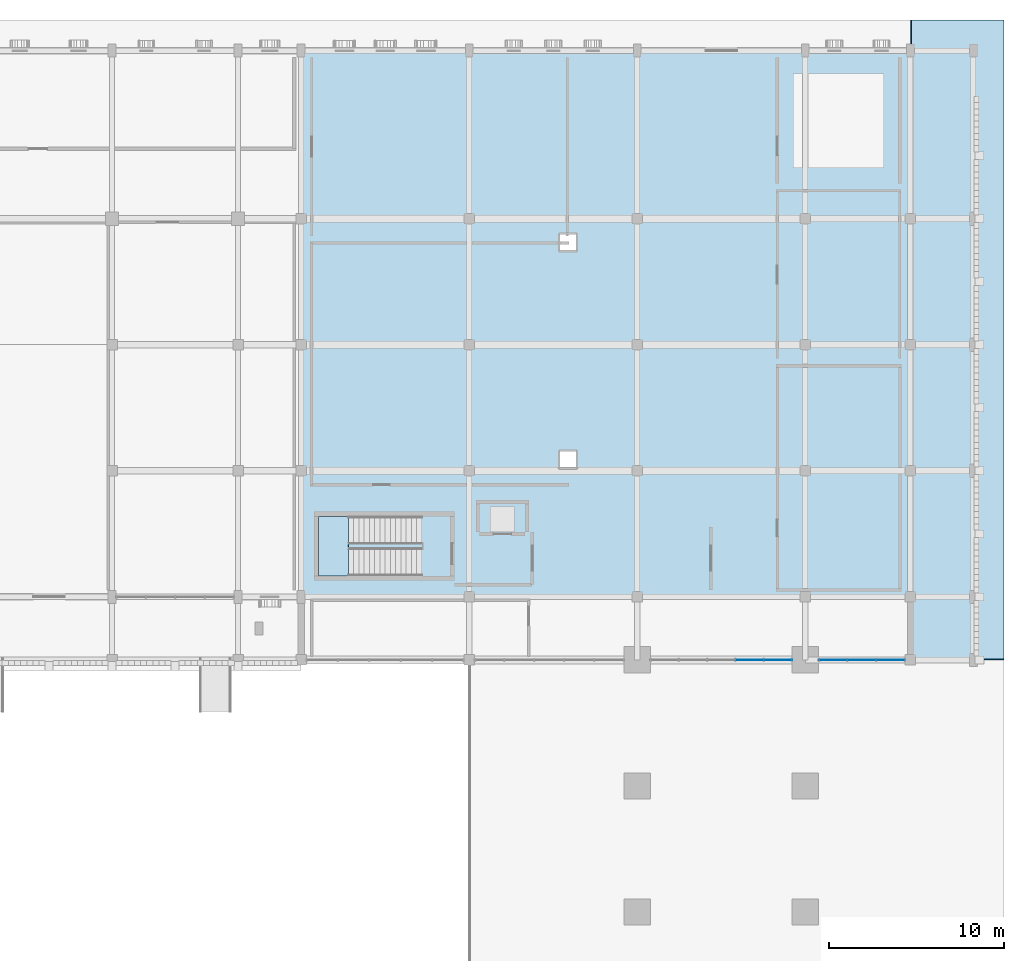
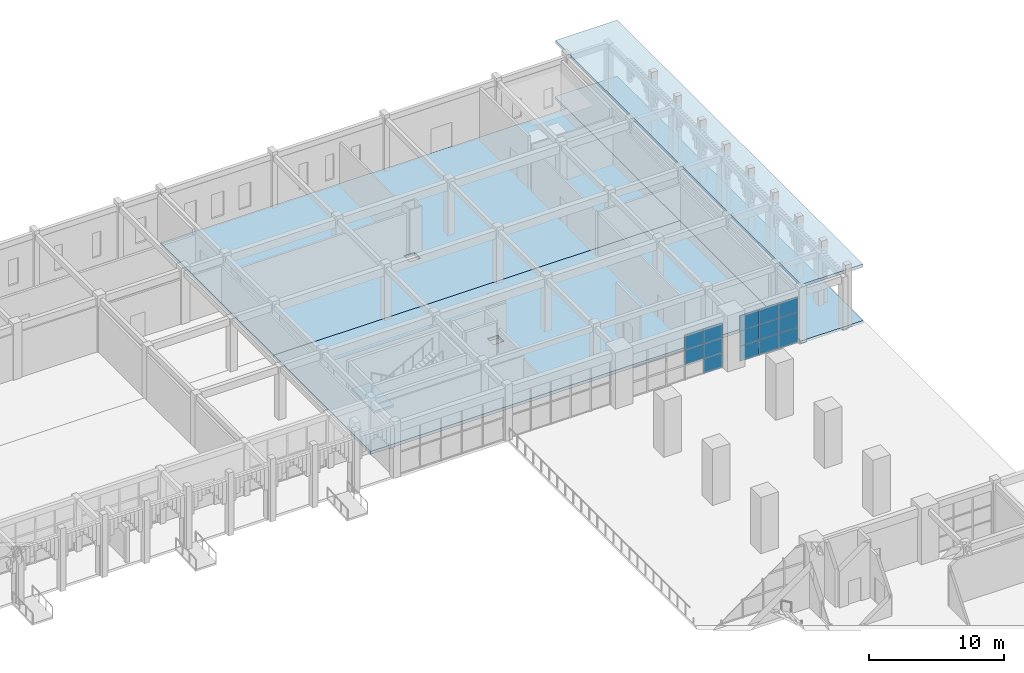
# One storey, part 34 of 72: 14 plates, 5 slabs, 3 elements without a shape of their own.
"""IFC4 building model written with IfcOpenShell, lengths in metres."""

from ifc_helpers import new_model, si_unit, direction, frame, origin, origin_2d, place, context, subcontext, project, spatial, polyline, rectangle, outline, extrude, material, layer, layer_set, type_object, element, aggregate, save


model = new_model("IFC4")

# Units and contexts
model_context = context("Model", 3, precision=1e-05, world=origin(), true_north=direction((0.0, 1.0)))
body_context = subcontext(model_context, "Body", "Model", "MODEL_VIEW")
ifc_project = project(units=[si_unit("LENGTHUNIT", "METRE"), si_unit("AREAUNIT", "SQUARE_METRE"), si_unit("VOLUMEUNIT", "CUBIC_METRE"), si_unit("PLANEANGLEUNIT", "RADIAN"), si_unit("MASSUNIT", "GRAM", prefix="KILO")], contexts=[model_context])

# Site, building, storey
site_placement = place(None, origin())
site = spatial("IfcSite", under=ifc_project, at=site_placement, CompositionType="ELEMENT")
building_placement = place(site_placement, origin())
building = spatial("IfcBuilding", under=site, at=building_placement, Name="Nzembalo Square Collegiate School", CompositionType="ELEMENT")
storey_placement = place(building_placement, origin())
storey = spatial("IfcBuildingStorey", under=building, at=storey_placement, Name="L00", CompositionType="ELEMENT", Elevation=0.0)

# Curtain wall, plates
ifc_material_1 = material(Name="Aluminium 6060-T66", Category="aluminium")
curtain_wall_type_1 = type_object("IfcCurtainWallType", Name="CW-09", PredefinedType="USERDEFINED", material=ifc_material_1)
curtain_wall_1_placement = place(storey_placement, origin())
curtain_wall_1 = element("IfcCurtainWall", 1, at=curtain_wall_1_placement, inside=storey, type_object=curtain_wall_type_1, Name="Curtain wall CW-09 cw:L00:024", ObjectType="UNITISED", PredefinedType="USERDEFINED")
ifc_material_2 = material(Name="Laminated solar-control double glazing", Category="glass")
ifc_layer_1 = layer(ifc_material_2, 0.028076171875, Name="Laminated solar-control double glazing")
ifc_layer_set_1 = layer_set([ifc_layer_1], Name="Laminated solar-control double glazing")
plate_type_1 = type_object("IfcPlateType", Name="PN01", PredefinedType="CURTAIN_PANEL", material=ifc_layer_set_1)
plate_1_placement = place(storey_placement, frame((158.038330078125, 79.199951171875, 0.00390625), z_axis=(0.0, 0.0, 1.0), x_axis=(1.0, 0.0, 0.0)))
plate_1 = element("IfcPlate", 2, at=plate_1_placement, type_object=plate_type_1, Name="PN01 glazed panel 1-5", PredefinedType="CURTAIN_PANEL", context=body_context, shape_type="SweptSolid", body=[
    extrude(rectangle(XDim=1.611083984375, YDim=0.028076171875, at=origin_2d()), origin(), (0.0, 0.0, 1.0), 1.336669921875),
])
plate_2_placement = place(storey_placement, frame((156.419189453125, 79.199951171875, 1.3486328125), z_axis=(0.0, 0.0, 1.0), x_axis=(1.0, 0.0, 0.0)))
plate_2 = element("IfcPlate", 3, at=plate_2_placement, type_object=plate_type_1, Name="PN01 glazed panel 2-4", PredefinedType="CURTAIN_PANEL", context=body_context, shape_type="SweptSolid", body=[
    extrude(rectangle(XDim=1.611083984375, YDim=0.028076171875, at=origin_2d()), origin(), (0.0, 0.0, 1.0), 1.336669921875),
])
plate_3_placement = place(storey_placement, frame((158.038330078125, 79.199951171875, 1.3486328125), z_axis=(0.0, 0.0, 1.0), x_axis=(1.0, 0.0, 0.0)))
plate_3 = element("IfcPlate", 4, at=plate_3_placement, type_object=plate_type_1, Name="PN01 glazed panel 2-5", PredefinedType="CURTAIN_PANEL", context=body_context, shape_type="SweptSolid", body=[
    extrude(rectangle(XDim=1.611083984375, YDim=0.028076171875, at=origin_2d()), origin(), (0.0, 0.0, 1.0), 1.336669921875),
])
plate_4_placement = place(storey_placement, frame((156.419189453125, 79.199951171875, 2.693359375), z_axis=(0.0, 0.0, 1.0), x_axis=(1.0, 0.0, 0.0)))
plate_4 = element("IfcPlate", 5, at=plate_4_placement, type_object=plate_type_1, Name="PN01 glazed panel 3-4", PredefinedType="CURTAIN_PANEL", context=body_context, shape_type="SweptSolid", body=[
    extrude(rectangle(XDim=1.611083984375, YDim=0.028076171875, at=origin_2d()), origin(), (0.0, 0.0, 1.0), 1.336669921875),
])
plate_5_placement = place(storey_placement, frame((158.038330078125, 79.199951171875, 2.693359375), z_axis=(0.0, 0.0, 1.0), x_axis=(1.0, 0.0, 0.0)))
plate_5 = element("IfcPlate", 6, at=plate_5_placement, type_object=plate_type_1, Name="PN01 glazed panel 3-5", PredefinedType="CURTAIN_PANEL", context=body_context, shape_type="SweptSolid", body=[
    extrude(rectangle(XDim=1.611083984375, YDim=0.028076171875, at=origin_2d()), origin(), (0.0, 0.0, 1.0), 1.336669921875),
])
aggregate(curtain_wall_1, [plate_1, plate_2, plate_3, plate_4, plate_5])

ifc_material_3 = material(Name="Aluminium 6060-T66", Category="aluminium")
curtain_wall_type_2 = type_object("IfcCurtainWallType", Name="CW-14", PredefinedType="USERDEFINED", material=ifc_material_3)
curtain_wall_2_placement = place(storey_placement, origin())
curtain_wall_2 = element("IfcCurtainWall", 7, at=curtain_wall_2_placement, inside=storey, type_object=curtain_wall_type_2, Name="Curtain wall CW-14 cw:L00:025", ObjectType="UNITISED", PredefinedType="USERDEFINED")
ifc_material_4 = material(Name="Acoustic laminated solar-control glazing", Category="glass")
ifc_layer_2 = layer(ifc_material_4, 0.031982421875, Name="Acoustic laminated solar-control glazing")
ifc_layer_set_2 = layer_set([ifc_layer_2], Name="Acoustic laminated solar-control glazing")
plate_type_2 = type_object("IfcPlateType", Name="PN02", PredefinedType="CURTAIN_PANEL", material=ifc_layer_set_2)
plate_6_placement = place(storey_placement, frame((161.17626953125, 79.199951171875, 0.00390625), z_axis=(0.0, 0.0, 1.0), x_axis=(1.0, 0.0, 0.0)))
plate_6 = element("IfcPlate", 8, at=plate_6_placement, type_object=plate_type_2, Name="PN02 glazed panel 1-1", PredefinedType="CURTAIN_PANEL", context=body_context, shape_type="SweptSolid", body=[
    extrude(rectangle(XDim=1.640625, YDim=0.031982421875, at=origin_2d()), origin(), (0.0, 0.0, 1.0), 1.3701171875),
])
plate_7_placement = place(storey_placement, frame((162.824951171875, 79.199951171875, 0.00390625), z_axis=(0.0, 0.0, 1.0), x_axis=(1.0, 0.0, 0.0)))
plate_7 = element("IfcPlate", 9, at=plate_7_placement, type_object=plate_type_2, Name="PN02 glazed panel 1-2", PredefinedType="CURTAIN_PANEL", context=body_context, shape_type="SweptSolid", body=[
    extrude(rectangle(XDim=1.640625, YDim=0.031982421875, at=origin_2d()), origin(), (0.0, 0.0, 1.0), 1.3701171875),
])
plate_8_placement = place(storey_placement, frame((164.4736328125, 79.199951171875, 0.00390625), z_axis=(0.0, 0.0, 1.0), x_axis=(1.0, 0.0, 0.0)))
plate_8 = element("IfcPlate", 10, at=plate_8_placement, type_object=plate_type_2, Name="PN02 glazed panel 1-3", PredefinedType="CURTAIN_PANEL", context=body_context, shape_type="SweptSolid", body=[
    extrude(rectangle(XDim=1.640625, YDim=0.031982421875, at=origin_2d()), origin(), (0.0, 0.0, 1.0), 1.3701171875),
])
plate_9_placement = place(storey_placement, frame((161.17626953125, 79.199951171875, 1.3818359375), z_axis=(0.0, 0.0, 1.0), x_axis=(1.0, 0.0, 0.0)))
plate_9 = element("IfcPlate", 11, at=plate_9_placement, type_object=plate_type_2, Name="PN02 glazed panel 2-1", PredefinedType="CURTAIN_PANEL", context=body_context, shape_type="SweptSolid", body=[
    extrude(rectangle(XDim=1.640625, YDim=0.031982421875, at=origin_2d()), origin(), (0.0, 0.0, 1.0), 1.3701171875),
])
plate_10_placement = place(storey_placement, frame((162.824951171875, 79.199951171875, 1.3818359375), z_axis=(0.0, 0.0, 1.0), x_axis=(1.0, 0.0, 0.0)))
plate_10 = element("IfcPlate", 12, at=plate_10_placement, type_object=plate_type_2, Name="PN02 glazed panel 2-2", PredefinedType="CURTAIN_PANEL", context=body_context, shape_type="SweptSolid", body=[
    extrude(rectangle(XDim=1.640625, YDim=0.031982421875, at=origin_2d()), origin(), (0.0, 0.0, 1.0), 1.3701171875),
])
plate_11_placement = place(storey_placement, frame((164.4736328125, 79.199951171875, 1.3818359375), z_axis=(0.0, 0.0, 1.0), x_axis=(1.0, 0.0, 0.0)))
plate_11 = element("IfcPlate", 13, at=plate_11_placement, type_object=plate_type_2, Name="PN02 glazed panel 2-3", PredefinedType="CURTAIN_PANEL", context=body_context, shape_type="SweptSolid", body=[
    extrude(rectangle(XDim=1.640625, YDim=0.031982421875, at=origin_2d()), origin(), (0.0, 0.0, 1.0), 1.3701171875),
])
plate_12_placement = place(storey_placement, frame((161.17626953125, 79.199951171875, 2.760009765625), z_axis=(0.0, 0.0, 1.0), x_axis=(1.0, 0.0, 0.0)))
plate_12 = element("IfcPlate", 14, at=plate_12_placement, type_object=plate_type_2, Name="PN02 glazed panel 3-1", PredefinedType="CURTAIN_PANEL", context=body_context, shape_type="SweptSolid", body=[
    extrude(rectangle(XDim=1.640625, YDim=0.031982421875, at=origin_2d()), origin(), (0.0, 0.0, 1.0), 1.3701171875),
])
plate_13_placement = place(storey_placement, frame((162.824951171875, 79.199951171875, 2.760009765625), z_axis=(0.0, 0.0, 1.0), x_axis=(1.0, 0.0, 0.0)))
plate_13 = element("IfcPlate", 15, at=plate_13_placement, type_object=plate_type_2, Name="PN02 glazed panel 3-2", PredefinedType="CURTAIN_PANEL", context=body_context, shape_type="SweptSolid", body=[
    extrude(rectangle(XDim=1.640625, YDim=0.031982421875, at=origin_2d()), origin(), (0.0, 0.0, 1.0), 1.3701171875),
])
plate_14_placement = place(storey_placement, frame((164.4736328125, 79.199951171875, 2.760009765625), z_axis=(0.0, 0.0, 1.0), x_axis=(1.0, 0.0, 0.0)))
plate_14 = element("IfcPlate", 16, at=plate_14_placement, type_object=plate_type_2, Name="PN02 glazed panel 3-3", PredefinedType="CURTAIN_PANEL", context=body_context, shape_type="SweptSolid", body=[
    extrude(rectangle(XDim=1.640625, YDim=0.031982421875, at=origin_2d()), origin(), (0.0, 0.0, 1.0), 1.3701171875),
])
aggregate(curtain_wall_2, [plate_6, plate_7, plate_8, plate_9, plate_10, plate_11, plate_12, plate_13, plate_14])

# Stair, slab
ifc_material_5 = material(Name="Precast concrete C40/50", Category="concrete")
stair_type = type_object("IfcStairType", Name="ST-30R", PredefinedType="HALF_TURN_STAIR", material=ifc_material_5)
stair_placement = place(storey_placement, origin())
stair = element("IfcStair", 17, at=stair_placement, inside=storey, type_object=stair_type, Name="Escape stair ST-13 (C4 L00)", PredefinedType="HALF_TURN_STAIR")
ifc_material_6 = material(Name="Precast concrete C40/50", Category="concrete")
ifc_layer_3 = layer(ifc_material_6, 0.199951171875, Name="Precast concrete C40/50")
ifc_layer_set_3 = layer_set([ifc_layer_3], Name="Precast concrete C40/50")
slab_type_1 = type_object("IfcSlabType", Name="SL-LDG", PredefinedType="LANDING", material=ifc_layer_set_3)
slab_1_placement = place(storey_placement, frame((0.0, 0.0, 2.35009765625)))
slab_1 = element("IfcSlab", 18, at=slab_1_placement, type_object=slab_type_1, Name="ST-13 landing 1", PredefinedType="LANDING", context=body_context, shape_type="SweptSolid", body=[
    extrude(outline(polyline([(133.5, 87.39990234375), (131.800048828125, 87.39990234375), (131.800048828125, 84.0), (133.5, 84.0), (133.5, 87.39990234375)])), origin(), (0.0, 0.0, 1.0), 0.199951171875),
])
aggregate(stair, [slab_1])

# Slabs
ifc_material_7 = material(Name="CLT CL24", Category="wood")
ifc_layer_4 = layer(ifc_material_7, 0.27001953125, Name="CLT CL24")
ifc_layer_set_4 = layer_set([ifc_layer_4], Name="CLT CL24")
slab_type_2 = type_object("IfcSlabType", Name="RS-F27", PredefinedType="ROOF", material=ifc_layer_set_4)
slab_2_placement = place(storey_placement, frame((0.0, 0.0, 4.800048828125)))
element("IfcSlab", 19, at=slab_2_placement, inside=storey, type_object=slab_type_2, Name="Step roof slab RS-ARC-EN", PredefinedType="ROOF", context=body_context, shape_type="SweptSolid", body=[
    extrude(outline(polyline([(165.659912109375, 79.260009765625), (170.93994140625, 79.260009765625), (170.93994140625, 115.739990234375), (165.659912109375, 115.739990234375), (165.659912109375, 79.260009765625)])), origin(), (0.0, 0.0, 1.0), 0.27001953125),
])
ifc_material_8 = material(Name="Concrete C35/45", Category="concrete")
ifc_layer_5 = layer(ifc_material_8, 0.219970703125, Name="Concrete C35/45")
ifc_layer_set_5 = layer_set([ifc_layer_5], Name="Concrete C35/45")
slab_type_3 = type_object("IfcSlabType", Name="SL-00E", PredefinedType="FLOOR", material=ifc_layer_set_5)
slab_3_placement = place(storey_placement, frame((0.0, 0.0, -0.219970703125)))
element("IfcSlab", 20, at=slab_3_placement, inside=storey, type_object=slab_type_3, Name="Slab SL-L00-31", PredefinedType="FLOOR", context=body_context, shape_type="SweptSolid", body=[
    extrude(outline(polyline([(165.60009765625, 79.199951171875), (170.949951171875, 79.199951171875), (170.949951171875, 115.75), (165.60009765625, 115.75), (165.60009765625, 79.199951171875)])), origin(), (0.0, 0.0, 1.0), 0.219970703125),
])
ifc_material_9 = material(Name="Concrete C35/45", Category="concrete")
ifc_layer_6 = layer(ifc_material_9, 0.280029296875, Name="Concrete C35/45")
ifc_layer_set_6 = layer_set([ifc_layer_6], Name="Concrete C35/45")
slab_type_4 = type_object("IfcSlabType", Name="SL-00", PredefinedType="FLOOR", material=ifc_layer_set_6)
slab_4_placement = place(storey_placement, frame((0.0, 0.0, -0.280029296875)))
element("IfcSlab", 21, at=slab_4_placement, inside=storey, type_object=slab_type_4, Name="Slab SL-L00-16", PredefinedType="FLOOR", context=body_context, shape_type="SweptSolid", body=[
    extrude(outline(polyline([(130.800048828125, 82.800048828125), (165.60009765625, 82.800048828125), (165.60009765625, 97.199951171875), (130.800048828125, 97.199951171875), (130.800048828125, 82.800048828125)]), holes=[polyline([(145.60009765625, 90.199951171875), (146.5, 90.199951171875), (146.5, 91.10009765625), (145.60009765625, 91.10009765625), (145.60009765625, 90.199951171875)])]), origin(), (0.0, 0.0, 1.0), 0.280029296875),
])
slab_5_placement = place(storey_placement, frame((0.0, 0.0, -0.280029296875)))
element("IfcSlab", 22, at=slab_5_placement, inside=storey, type_object=slab_type_4, Name="Slab SL-L00-17", PredefinedType="FLOOR", context=body_context, shape_type="SweptSolid", body=[
    extrude(outline(polyline([(130.800048828125, 97.199951171875), (165.60009765625, 97.199951171875), (165.60009765625, 114.0), (130.800048828125, 114.0), (130.800048828125, 97.199951171875)]), holes=[polyline([(145.60009765625, 102.60009765625), (146.5, 102.60009765625), (146.5, 103.5), (145.60009765625, 103.5), (145.60009765625, 102.60009765625)])]), origin(), (0.0, 0.0, 1.0), 0.280029296875),
])

save(model, "model.ifc")
